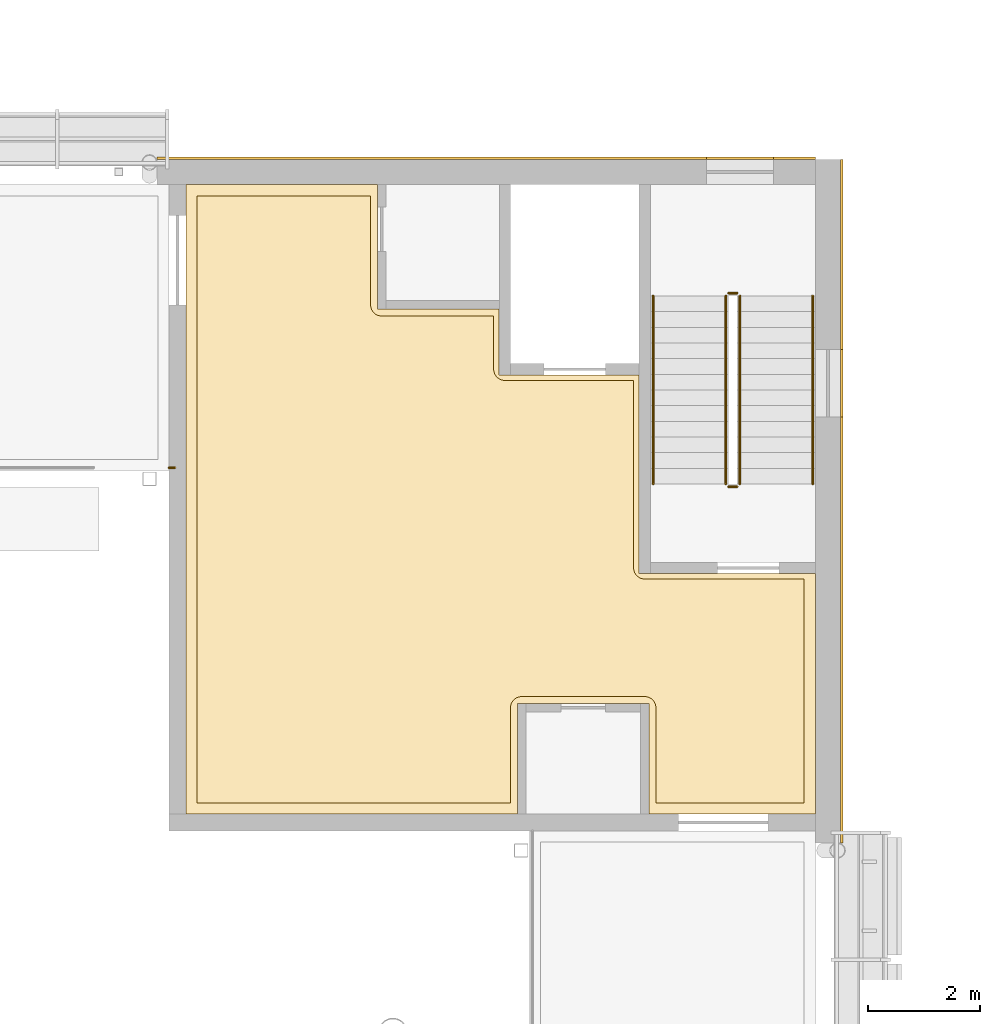
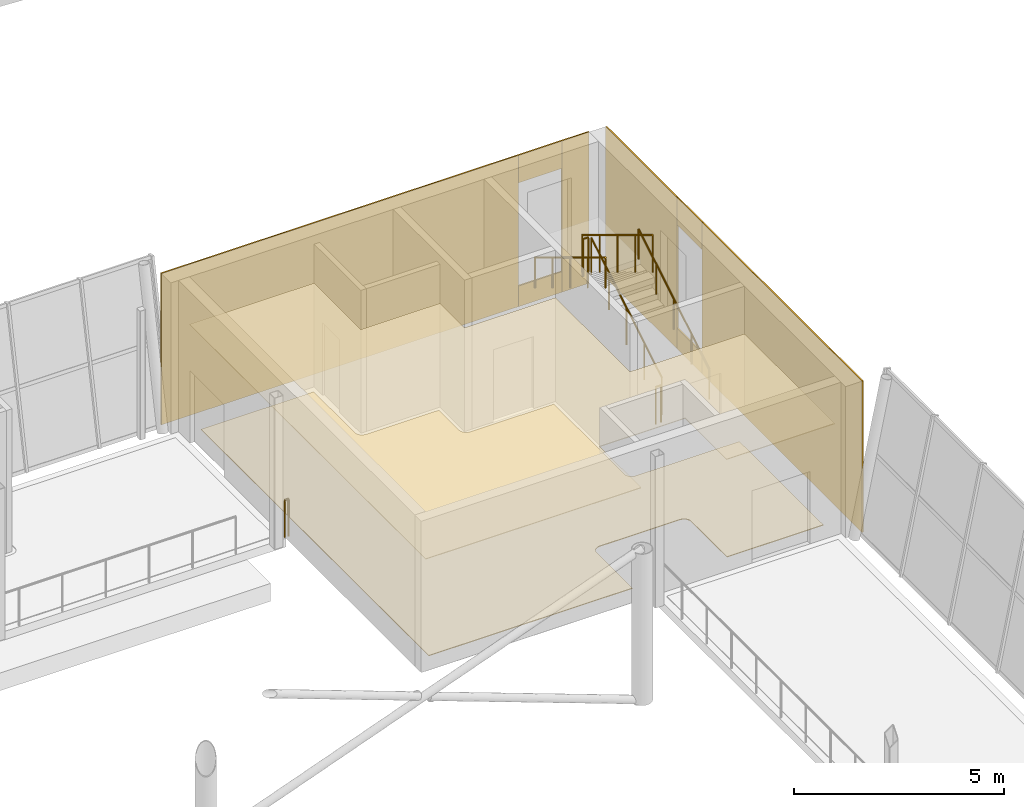
# One storey, part 111 of 115: 10 coverings, 7 railings.
"""IFC4 building model written with IfcOpenShell, lengths in metres."""

import ifcopenshell
import ifcopenshell.guid

model = None  # the IFC model being written
_history = None  # IfcOwnerHistory: only IFC2X3 demands one
_inside = {}  # id of a spatial element -> (the spatial element, [elements in it])
_under = {}  # id of a project, library or spatial element -> (it, [spatial elements below it])
_declared = {}  # id of a project -> (the project, [libraries it declares])
_typed = {}  # id of a type object -> (the type object, [elements of that type])
_made_of = {}  # id of a material, layer set ... -> (it, [elements and type objects made of it])


def new_model(schema):
    """Start an empty IFC model of exactly this schema.

    Asked for "IFC4X3", IfcOpenShell would pick the latest addendum, in which some entities
    have other attributes; the version numbers below select the first issue.
    IFC2X3 requires an IfcOwnerHistory on every rooted entity: one is made here for all.
    """
    global model, _history
    if schema == "IFC4X3":
        model = ifcopenshell.file(schema_version=(4, 3, 0, 0))
    else:
        model = ifcopenshell.file(schema=schema)
    _inside.clear()
    _under.clear()
    _declared.clear()
    _typed.clear()
    _made_of.clear()
    _history = None
    if model.schema == "IFC2X3":
        org = make("IfcOrganization", Name="unknown")
        user = make(
            "IfcPersonAndOrganization",
            ThePerson=make("IfcPerson", FamilyName="unknown"),
            TheOrganization=org,
        )
        app = make(
            "IfcApplication",
            ApplicationDeveloper=org,
            Version="unknown",
            ApplicationFullName="unknown",
            ApplicationIdentifier="unknown",
        )
        _history = make(
            "IfcOwnerHistory",
            OwningUser=user,
            OwningApplication=app,
            ChangeAction="ADDED",
            CreationDate=0,
        )
    return model


def make(cls, **values):
    """One entity of the class cls with the attributes given. An attribute that is None is left unset."""
    return model.create_entity(
        cls, **{name: value for name, value in values.items() if value is not None}
    )


def rooted(cls, **values):
    """An entity with a GlobalId (a new one), such as an element, a storey or a relation."""
    return make(cls, GlobalId=ifcopenshell.guid.new(), OwnerHistory=_history, **values)


def si_unit(unit_type, name, prefix=None):
    """IfcSIUnit, for example si_unit("LENGTHUNIT", "METRE", prefix="MILLI")."""
    return make("IfcSIUnit", UnitType=unit_type, Prefix=prefix, Name=name)


def assignment(units):
    """IfcUnitAssignment: the units of a project."""
    return None if units is None else make("IfcUnitAssignment", Units=units)


def point(xyz):
    """IfcCartesianPoint."""
    return None if xyz is None else make("IfcCartesianPoint", Coordinates=xyz)


def direction(xyz):
    """IfcDirection."""
    return None if xyz is None else make("IfcDirection", DirectionRatios=xyz)


def frame(location, z_axis=None, x_axis=None):
    """IfcAxis2Placement3D, a coordinate frame: its origin and axes. An axis left out is left unset."""
    return make(
        "IfcAxis2Placement3D",
        Location=point(location),
        Axis=direction(z_axis),
        RefDirection=direction(x_axis),
    )


def frame_2d(location, x_axis=None):
    """IfcAxis2Placement2D, a coordinate frame in the plane: its origin and x axis."""
    return make(
        "IfcAxis2Placement2D", Location=point(location), RefDirection=direction(x_axis)
    )


def origin():
    """The frame at (0, 0, 0) with its axes left unset."""
    return frame((0.0, 0.0, 0.0))


def origin_2d():
    """The frame at (0, 0) in the plane with its x axis left unset."""
    return frame_2d((0.0, 0.0))


def place(relative_to, where):
    """IfcLocalPlacement: puts the frame where relative to a parent placement (None: the world)."""
    return make(
        "IfcLocalPlacement", PlacementRelTo=relative_to, RelativePlacement=where
    )


def context(
    kind, dimensions, precision=None, world=None, true_north=None, identifier=None
):
    """IfcGeometricRepresentationContext, for example the 3D "Model" context."""
    return make(
        "IfcGeometricRepresentationContext",
        ContextIdentifier=identifier,
        ContextType=kind,
        CoordinateSpaceDimension=dimensions,
        Precision=precision,
        WorldCoordinateSystem=world,
        TrueNorth=true_north,
    )


def subcontext(parent, identifier, kind, view, scale=None):
    """IfcGeometricRepresentationSubContext, for example "Body" below "Model"."""
    return make(
        "IfcGeometricRepresentationSubContext",
        ContextIdentifier=identifier,
        ContextType=kind,
        ParentContext=parent,
        TargetScale=scale,
        TargetView=view,
    )


def project(units=None, contexts=None):
    """IfcProject with its units and contexts."""
    return rooted(
        "IfcProject",
        Name="project",
        RepresentationContexts=contexts,
        UnitsInContext=assignment(units),
    )


def spatial(cls, under=None, at=None, **own):
    """A site, building, storey or space (cls), placed at a placement, below another one or the project."""
    s = rooted(cls, ObjectPlacement=at, **own)
    if under is not None:
        _under.setdefault(under.id(), (under, []))[1].append(s)
    return s


def polyline(points):
    """IfcPolyline through the points."""
    return make("IfcPolyline", Points=[point(p) for p in points])


def profile(cls, at=None, kind="AREA", **sizes):
    """A parametric profile (cls). Its sizes go by their IFC names, for example OverallWidth=200.0."""
    return make(cls, ProfileType=kind, Position=at, **sizes)


def circle(**sizes):
    """IfcCircleProfileDef."""
    return profile("IfcCircleProfileDef", **sizes)


def outline(outer, holes=None, kind="AREA"):
    """IfcArbitraryClosedProfileDef: a profile drawn as a closed curve; with holes, ...WithVoids."""
    if holes is None:
        return make("IfcArbitraryClosedProfileDef", ProfileType=kind, OuterCurve=outer)
    return make(
        "IfcArbitraryProfileDefWithVoids",
        ProfileType=kind,
        OuterCurve=outer,
        InnerCurves=holes,
    )


def extrude(swept, where, along, depth):
    """IfcExtrudedAreaSolid: the profile swept, set in the frame where, extruded along a direction by depth."""
    return make(
        "IfcExtrudedAreaSolid",
        SweptArea=swept,
        Position=where,
        ExtrudedDirection=direction(along),
        Depth=depth,
    )


def shape(context_of_items, identifier, shape_type, items):
    """IfcShapeRepresentation: the items that make up one representation, for example the "Body"."""
    return make(
        "IfcShapeRepresentation",
        ContextOfItems=context_of_items,
        RepresentationIdentifier=identifier,
        RepresentationType=shape_type,
        Items=items,
    )


def material(Name=None, Category=None):
    """IfcMaterial."""
    return make("IfcMaterial", Name=Name, Category=Category)


def layer(
    of_material, thickness, ventilated=None, Name=None, Category=None, Priority=None
):
    """IfcMaterialLayer: one layer of a wall or slab, of a material (None: an air gap)."""
    return make(
        "IfcMaterialLayer",
        Material=of_material,
        LayerThickness=thickness,
        IsVentilated=ventilated,
        Name=Name,
        Category=Category,
        Priority=Priority,
    )


def layer_set(layers, Name=None):
    """IfcMaterialLayerSet."""
    return make("IfcMaterialLayerSet", MaterialLayers=layers, LayerSetName=Name)


def made_of(thing, what):
    """Note that an element or type object is made of a material, layer set ...; save() writes the relation."""
    if what is not None:
        _made_of.setdefault(what.id(), (what, []))[1].append(thing)
    return thing


def type_object(cls, material=None, **own):
    """A type object (cls), such as IfcWallType, which elements share."""
    return made_of(rooted(cls, **own), material)


def element(
    cls,
    number,
    at=None,
    inside=None,
    cuts=None,
    type_object=None,
    material=None,
    context=None,
    identifier="Body",
    shape_type=None,
    held_by="IfcProductDefinitionShape",
    body=None,
    shapes=None,
    **own,
):
    """One element of the class cls, such as IfcWall. Its Tag is "e" and its number.

    at: its placement. inside: the storey or other place that contains it. cuts: it is an
    opening in that element (IfcRelVoidsElement). A single representation is given by context,
    identifier, shape_type and body (its items); several are given by shapes. held_by: the class
    of the entity that holds the representations. save() writes the other relations.
    """
    e = rooted(cls, Tag="e%d" % number, ObjectPlacement=at, **own)
    if body is not None:
        shapes = [shape(context, identifier, shape_type, body)]
    if shapes is not None:
        e.Representation = make(held_by, Representations=shapes)
    if inside is not None:
        _inside.setdefault(inside.id(), (inside, []))[1].append(e)
    if cuts is not None:
        rooted(
            "IfcRelVoidsElement", RelatingBuildingElement=cuts, RelatedOpeningElement=e
        )
    if type_object is not None:
        _typed.setdefault(type_object.id(), (type_object, []))[1].append(e)
    return made_of(e, material)


def aggregate(whole, parts):
    """IfcRelAggregates: a whole, such as a stair, and the parts it consists of."""
    return rooted("IfcRelAggregates", RelatingObject=whole, RelatedObjects=parts)


def save(model, path):
    """Write the relations noted so far, then the file.

    IfcRelAggregates (storeys below a building ...), IfcRelContainedInSpatialStructure (elements
    in a storey), IfcRelDefinesByType, IfcRelAssociatesMaterial and IfcRelDeclares: one each for
    every whole, place, type object, material and project.
    """
    for whole, parts in _under.values():
        aggregate(whole, parts)
    for where, things in _inside.values():
        rooted(
            "IfcRelContainedInSpatialStructure",
            RelatedElements=things,
            RelatingStructure=where,
        )
    for kind, things in _typed.values():
        rooted("IfcRelDefinesByType", RelatedObjects=things, RelatingType=kind)
    for what, things in _made_of.values():
        rooted("IfcRelAssociatesMaterial", RelatedObjects=things, RelatingMaterial=what)
    for by, libraries in _declared.values():
        rooted("IfcRelDeclares", RelatingContext=by, RelatedDefinitions=libraries)
    model.write(path)


model = new_model("IFC4")

# Units and contexts
model_context = context("Model", 3, precision=1e-05, world=origin(), true_north=direction((0.0, 1.0)))
body_context = subcontext(model_context, "Body", "Model", "MODEL_VIEW")
ifc_project = project(units=[si_unit("LENGTHUNIT", "METRE"), si_unit("AREAUNIT", "SQUARE_METRE"), si_unit("VOLUMEUNIT", "CUBIC_METRE"), si_unit("PLANEANGLEUNIT", "RADIAN"), si_unit("MASSUNIT", "GRAM", prefix="KILO")], contexts=[model_context])

# Site, building, storey
site_placement = place(None, origin())
site = spatial("IfcSite", under=ifc_project, at=site_placement, CompositionType="ELEMENT")
building_placement = place(site_placement, origin())
building = spatial("IfcBuilding", under=site, at=building_placement, Name="Windward Yard Aquatics Centre", CompositionType="ELEMENT")
storey_placement = place(building_placement, frame((0.0, 0.0, 5.0)))
storey = spatial("IfcBuildingStorey", under=building, at=storey_placement, Name="L01", CompositionType="ELEMENT", Elevation=5.0)

# Covering
ifc_material_1 = material(Name="Polished screed")
ifc_layer_1 = layer(ifc_material_1, 0.0400390625)
ifc_layer_set_1 = layer_set([ifc_layer_1], Name="H Floor Finish Screed 40")
covering_type_1 = type_object("IfcCoveringType", Name="H Floor Finish Screed 40", PredefinedType="FLOORING", material=ifc_layer_set_1)
covering_1_placement = place(storey_placement, origin())
element("IfcCovering", 1, at=covering_1_placement, inside=storey, type_object=covering_type_1, Name="Core Lobby NE floor finish", PredefinedType="FLOORING", context=body_context, shape_type="SweptSolid", body=[
    extrude(outline(polyline([(140.5, 84.5), (140.5, 95.35009765625), (143.60009765625, 95.35009765625), (143.60009765625, 93.39990234375), (143.60107421875, 93.38037109375), (143.608642578125, 93.341796875), (143.62353515625, 93.3056640625), (143.6337890625, 93.288818359375), (143.65869140625, 93.258544921875), (143.68896484375, 93.233642578125), (143.723388671875, 93.215087890625), (143.741943359375, 93.20849609375), (143.780517578125, 93.200927734375), (143.800048828125, 93.199951171875), (145.800048828125, 93.199951171875), (145.801025390625, 92.23046875), (145.80859375, 92.19189453125), (145.815185546875, 92.173583984375), (145.833740234375, 92.138916015625), (145.845458984375, 92.123046875), (145.858642578125, 92.108642578125), (145.888916015625, 92.083740234375), (145.923583984375, 92.065185546875), (145.94189453125, 92.05859375), (145.98046875, 92.051025390625), (146.0, 92.050048828125), (148.300048828125, 92.050048828125), (148.300048828125, 88.699951171875), (148.3037109375, 88.660888671875), (148.315185546875, 88.62353515625), (148.333740234375, 88.5888671875), (148.358642578125, 88.55859375), (148.373046875, 88.54541015625), (148.40576171875, 88.523681640625), (148.44189453125, 88.508544921875), (148.48046875, 88.5009765625), (148.5, 88.5), (151.35009765625, 88.5), (151.35009765625, 84.5), (148.699951171875, 84.5), (148.698974609375, 86.219482421875), (148.69140625, 86.258056640625), (148.684814453125, 86.276611328125), (148.666259765625, 86.31103515625), (148.641357421875, 86.34130859375), (148.611083984375, 86.3662109375), (148.576416015625, 86.384765625), (148.5390625, 86.396240234375), (148.5, 86.39990234375), (146.300048828125, 86.39990234375), (146.280517578125, 86.39892578125), (146.241943359375, 86.391357421875), (146.205810546875, 86.37646484375), (146.173095703125, 86.3544921875), (146.15869140625, 86.34130859375), (146.1337890625, 86.31103515625), (146.115234375, 86.276611328125), (146.103759765625, 86.239013671875), (146.10009765625, 86.199951171875), (146.10009765625, 84.5), (140.5, 84.5)])), origin(), (0.0, 0.0, 1.0), 0.02001953125),
])

# Railings
ifc_material_2 = material(Name="Stainless steel 1.4529", Category="steel")
railing_type_1 = type_object("IfcRailingType", Name="H Guard Steel 1100", PredefinedType="GUARDRAIL", material=ifc_material_2)
railing_1_placement = place(storey_placement, frame((150.199951171875, 90.199951171875, 0.169189453125)))
element("IfcRailing", 2, at=railing_1_placement, inside=storey, type_object=railing_type_1, Name="L01 ST4 stair guard 1", PredefinedType="GUARDRAIL", context=body_context, shape_type="SweptSolid", body=[
    extrude(circle(Radius=0.02392578125, at=origin_2d()), frame((0.0, 0.0, 1.076171875), z_axis=(0.0, 0.855836976705, 0.517245656632), x_axis=(-1.0, 0.0, 0.0)), (0.0, 0.0, 1.0), 3.926025390625),
    extrude(circle(Radius=0.02099609375, at=origin_2d()), origin(), (0.0, 0.0, 1.0), 1.052001953125),
    extrude(circle(Radius=0.02099609375, at=origin_2d()), frame((0.0, 0.840087890625, 0.5078125)), (0.0, 0.0, 1.0), 1.052001953125),
    extrude(circle(Radius=0.02099609375, at=origin_2d()), frame((0.0, 1.68017578125, 1.015380859375)), (0.0, 0.0, 1.0), 1.052001953125),
    extrude(circle(Radius=0.02099609375, at=origin_2d()), frame((0.0, 2.52001953125, 1.52294921875)), (0.0, 0.0, 1.0), 1.052001953125),
    extrude(circle(Radius=0.02099609375, at=origin_2d()), frame((0.0, 3.360107421875, 2.03076171875)), (0.0, 0.0, 1.0), 1.052001953125),
])
railing_2_placement = place(storey_placement, frame((150.14990234375, 93.610107421875, 2.199951171875)))
element("IfcRailing", 3, at=railing_2_placement, inside=storey, type_object=railing_type_1, Name="L01 ST4 stair guard 2", PredefinedType="GUARDRAIL", context=body_context, shape_type="SweptSolid", body=[
    extrude(circle(Radius=0.02392578125, at=origin_2d()), frame((0.0, 0.0, 1.076171875), z_axis=(-1.0, 0.0, 0.0), x_axis=(0.0, -1.0, 0.0)), (0.0, 0.0, 1.0), 0.14990234375),
    extrude(circle(Radius=0.02099609375, at=origin_2d()), origin(), (0.0, 0.0, 1.0), 1.052001953125),
    extrude(circle(Radius=0.02099609375, at=origin_2d()), frame((-0.14990234375, 0.0, 0.0)), (0.0, 0.0, 1.0), 1.052001953125),
])
railing_3_placement = place(storey_placement, frame((149.949951171875, 93.56005859375, 2.369140625)))
element("IfcRailing", 4, at=railing_3_placement, inside=storey, type_object=railing_type_1, Name="L01 ST4 stair guard 3", PredefinedType="GUARDRAIL", context=body_context, shape_type="SweptSolid", body=[
    extrude(circle(Radius=0.02392578125, at=origin_2d()), frame((0.0, 0.0, 1.076171875), z_axis=(0.0, -0.855836976705, 0.517245656632), x_axis=(1.0, 0.0, 0.0)), (0.0, 0.0, 1.0), 3.926025390625),
    extrude(circle(Radius=0.02099609375, at=origin_2d()), origin(), (0.0, 0.0, 1.0), 1.052001953125),
    extrude(circle(Radius=0.02099609375, at=origin_2d()), frame((0.0, -0.840087890625, 0.5078125)), (0.0, 0.0, 1.0), 1.052001953125),
    extrude(circle(Radius=0.02099609375, at=origin_2d()), frame((0.0, -1.68017578125, 1.015380859375)), (0.0, 0.0, 1.0), 1.052001953125),
    extrude(circle(Radius=0.02099609375, at=origin_2d()), frame((0.0, -2.52001953125, 1.52294921875)), (0.0, 0.0, 1.0), 1.052001953125),
    extrude(circle(Radius=0.02099609375, at=origin_2d()), frame((0.0, -3.360107421875, 2.03076171875)), (0.0, 0.0, 1.0), 1.052001953125),
])
railing_4_placement = place(storey_placement, frame((150.14990234375, 90.14990234375, 0.0)))
element("IfcRailing", 5, at=railing_4_placement, inside=storey, type_object=railing_type_1, Name="L01 ST4 stair guard 4", PredefinedType="GUARDRAIL", context=body_context, shape_type="SweptSolid", body=[
    extrude(circle(Radius=0.02392578125, at=origin_2d()), frame((0.0, 0.0, 1.076171875), z_axis=(-1.0, 0.0, 0.0), x_axis=(0.0, -1.0, 0.0)), (0.0, 0.0, 1.0), 0.14990234375),
    extrude(circle(Radius=0.02099609375, at=origin_2d()), origin(), (0.0, 0.0, 1.0), 1.052001953125),
    extrude(circle(Radius=0.02099609375, at=origin_2d()), frame((-0.14990234375, 0.0, 0.0)), (0.0, 0.0, 1.0), 1.052001953125),
])
railing_5_placement = place(storey_placement, frame((140.10009765625, 90.490478515625, 0.0)))
element("IfcRailing", 6, at=railing_5_placement, inside=storey, type_object=railing_type_1, Name="Concourse edge guard N8", PredefinedType="GUARDRAIL", context=body_context, shape_type="SweptSolid", body=[
    extrude(circle(Radius=0.02392578125, at=origin_2d()), frame((0.0, 0.0, 1.076171875), z_axis=(-1.0, 0.0, 0.0), x_axis=(0.0, -1.0, 0.0)), (0.0, 0.0, 1.0), 0.10009765625),
    extrude(circle(Radius=0.02099609375, at=origin_2d()), origin(), (0.0, 0.0, 1.0), 1.052001953125),
    extrude(circle(Radius=0.02099609375, at=origin_2d()), frame((-0.10009765625, 0.0, 0.0)), (0.0, 0.0, 1.0), 1.052001953125),
])
railing_type_2 = type_object("IfcRailingType", Name="H Handrail Steel 900", PredefinedType="HANDRAIL", material=ifc_material_2)
railing_6_placement = place(storey_placement, frame((151.5, 90.199951171875, 0.169189453125)))
element("IfcRailing", 7, at=railing_6_placement, inside=storey, type_object=railing_type_2, Name="L01 ST4 stair handrail 1", PredefinedType="HANDRAIL", context=body_context, shape_type="SweptSolid", body=[
    extrude(circle(Radius=0.02392578125, at=origin_2d()), frame((0.0, 0.0, 0.8759765625), z_axis=(0.0, 0.855836976705, 0.517245656632), x_axis=(-1.0, 0.0, 0.0)), (0.0, 0.0, 1.0), 3.926025390625),
    extrude(circle(Radius=0.02099609375, at=origin_2d()), origin(), (0.0, 0.0, 1.0), 0.851806640625),
    extrude(circle(Radius=0.02099609375, at=origin_2d()), frame((0.0, 0.840087890625, 0.5078125)), (0.0, 0.0, 1.0), 0.851806640625),
    extrude(circle(Radius=0.02099609375, at=origin_2d()), frame((0.0, 1.68017578125, 1.015380859375)), (0.0, 0.0, 1.0), 0.851806640625),
    extrude(circle(Radius=0.02099609375, at=origin_2d()), frame((0.0, 2.52001953125, 1.52294921875)), (0.0, 0.0, 1.0), 0.851806640625),
    extrude(circle(Radius=0.02099609375, at=origin_2d()), frame((0.0, 3.360107421875, 2.03076171875)), (0.0, 0.0, 1.0), 0.851806640625),
])
railing_7_placement = place(storey_placement, frame((148.64990234375, 93.56005859375, 2.369140625)))
element("IfcRailing", 8, at=railing_7_placement, inside=storey, type_object=railing_type_2, Name="L01 ST4 stair handrail 2", PredefinedType="HANDRAIL", context=body_context, shape_type="SweptSolid", body=[
    extrude(circle(Radius=0.02392578125, at=origin_2d()), frame((0.0, 0.0, 0.8759765625), z_axis=(0.0, -0.855836976705, 0.517245656632), x_axis=(1.0, 0.0, 0.0)), (0.0, 0.0, 1.0), 3.926025390625),
    extrude(circle(Radius=0.02099609375, at=origin_2d()), origin(), (0.0, 0.0, 1.0), 0.851806640625),
    extrude(circle(Radius=0.02099609375, at=origin_2d()), frame((0.0, -0.840087890625, 0.5078125)), (0.0, 0.0, 1.0), 0.851806640625),
    extrude(circle(Radius=0.02099609375, at=origin_2d()), frame((0.0, -1.68017578125, 1.015380859375)), (0.0, 0.0, 1.0), 0.851806640625),
    extrude(circle(Radius=0.02099609375, at=origin_2d()), frame((0.0, -2.52001953125, 1.52294921875)), (0.0, 0.0, 1.0), 0.851806640625),
    extrude(circle(Radius=0.02099609375, at=origin_2d()), frame((0.0, -3.360107421875, 2.03076171875)), (0.0, 0.0, 1.0), 0.851806640625),
])

# Coverings
ifc_material_3 = material(Name="Mineral fibre tile")
ifc_layer_2 = layer(ifc_material_3, 0.02001953125)
ifc_layer_set_2 = layer_set([ifc_layer_2], Name="H Suspended Ceiling 600 x 600")
covering_type_2 = type_object("IfcCoveringType", Name="H Suspended Ceiling 600 x 600", PredefinedType="CEILING", material=ifc_layer_set_2)
covering_2_placement = place(storey_placement, frame((0.0, 0.0, 3.0)))
element("IfcCovering", 9, at=covering_2_placement, inside=storey, type_object=covering_type_2, Name="Core Lobby NE ceiling", PredefinedType="CEILING", context=body_context, shape_type="SweptSolid", body=[
    extrude(outline(polyline([(140.300537109375, 84.300537109375), (140.300537109375, 95.549560546875), (143.724609375, 95.549560546875), (143.724609375, 93.324951171875), (145.8994140625, 93.324462890625), (145.8994140625, 92.14990234375), (148.3994140625, 92.1494140625), (148.3994140625, 88.60009765625), (151.549560546875, 88.599609375), (151.549560546875, 84.300537109375), (148.575439453125, 84.300537109375), (148.575439453125, 86.27490234375), (146.224609375, 86.27490234375), (146.224609375, 84.300537109375), (140.300537109375, 84.300537109375)])), origin(), (0.0, 0.0, 1.0), 0.02001953125),
])
ifc_material_4 = material(Name="Natural limestone cladding", Category="masonry")
ifc_layer_3 = layer(ifc_material_4, 0.0400390625)
ifc_layer_set_3 = layer_set([ifc_layer_3], Name="H natural stone cladding 40")
covering_type_3 = type_object("IfcCoveringType", Name="H natural stone cladding 40", PredefinedType="CLADDING", material=ifc_layer_set_3)
covering_3_placement = place(storey_placement, origin())
element("IfcCovering", 10, at=covering_3_placement, inside=storey, type_object=covering_type_3, Name="Stone cladding panel 18", PredefinedType="CLADDING", context=body_context, shape_type="SweptSolid", body=[
    extrude(outline(polyline([(152.0, 92.60009765625), (152.0400390625, 92.60009765625), (152.0400390625, 96.0), (152.0, 96.0), (152.0, 92.60009765625)])), origin(), (0.0, 0.0, 1.0), 4.39990234375),
])
covering_4_placement = place(storey_placement, origin())
element("IfcCovering", 11, at=covering_4_placement, inside=storey, type_object=covering_type_3, Name="Stone cladding panel 19", PredefinedType="CLADDING", context=body_context, shape_type="SweptSolid", body=[
    extrude(outline(polyline([(152.0, 91.39990234375), (152.0400390625, 91.39990234375), (152.0400390625, 92.60009765625), (152.0, 92.60009765625), (152.0, 91.39990234375)])), origin(), (0.0, 0.0, 1.0), 0.60009765625),
])
covering_5_placement = place(storey_placement, frame((0.0, 0.0, 3.60009765625)))
element("IfcCovering", 12, at=covering_5_placement, inside=storey, type_object=covering_type_3, Name="Stone cladding panel 20", PredefinedType="CLADDING", context=body_context, shape_type="SweptSolid", body=[
    extrude(outline(polyline([(152.0, 91.39990234375), (152.0400390625, 91.39990234375), (152.0400390625, 92.60009765625), (152.0, 92.60009765625), (152.0, 91.39990234375)])), origin(), (0.0, 0.0, 1.0), 0.7998046875),
])
covering_6_placement = place(storey_placement, origin())
element("IfcCovering", 13, at=covering_6_placement, inside=storey, type_object=covering_type_3, Name="Stone cladding panel 21", PredefinedType="CLADDING", context=body_context, shape_type="SweptSolid", body=[
    extrude(outline(polyline([(152.0, 83.785888671875), (152.0400390625, 83.785888671875), (152.0400390625, 91.39990234375), (152.0, 91.39990234375), (152.0, 83.785888671875)])), origin(), (0.0, 0.0, 1.0), 4.39990234375),
])
covering_7_placement = place(storey_placement, origin())
element("IfcCovering", 14, at=covering_7_placement, inside=storey, type_object=covering_type_3, Name="Stone cladding panel 42", PredefinedType="CLADDING", context=body_context, shape_type="SweptSolid", body=[
    extrude(outline(polyline([(150.800048828125, 96.0), (150.800048828125, 96.0400390625), (151.550048828125, 96.0400390625), (151.550048828125, 96.0), (150.800048828125, 96.0)])), origin(), (0.0, 0.0, 1.0), 4.39990234375),
])
covering_8_placement = place(storey_placement, origin())
element("IfcCovering", 15, at=covering_8_placement, inside=storey, type_object=covering_type_3, Name="Stone cladding panel 43", PredefinedType="CLADDING", context=body_context, shape_type="SweptSolid", body=[
    extrude(outline(polyline([(149.60009765625, 96.0), (149.60009765625, 96.0400390625), (150.800048828125, 96.0400390625), (150.800048828125, 96.0), (149.60009765625, 96.0)])), origin(), (0.0, 0.0, 1.0), 0.60009765625),
])
covering_9_placement = place(storey_placement, frame((0.0, 0.0, 3.60009765625)))
element("IfcCovering", 16, at=covering_9_placement, inside=storey, type_object=covering_type_3, Name="Stone cladding panel 44", PredefinedType="CLADDING", context=body_context, shape_type="SweptSolid", body=[
    extrude(outline(polyline([(149.60009765625, 96.0), (149.60009765625, 96.0400390625), (150.800048828125, 96.0400390625), (150.800048828125, 96.0), (149.60009765625, 96.0)])), origin(), (0.0, 0.0, 1.0), 0.7998046875),
])
covering_10_placement = place(storey_placement, origin())
element("IfcCovering", 17, at=covering_10_placement, inside=storey, type_object=covering_type_3, Name="Stone cladding panel 45", PredefinedType="CLADDING", context=body_context, shape_type="SweptSolid", body=[
    extrude(outline(polyline([(139.785888671875, 96.0), (139.785888671875, 96.0400390625), (149.60009765625, 96.0400390625), (149.60009765625, 96.0), (139.785888671875, 96.0)])), origin(), (0.0, 0.0, 1.0), 4.39990234375),
])

save(model, "model.ifc")
